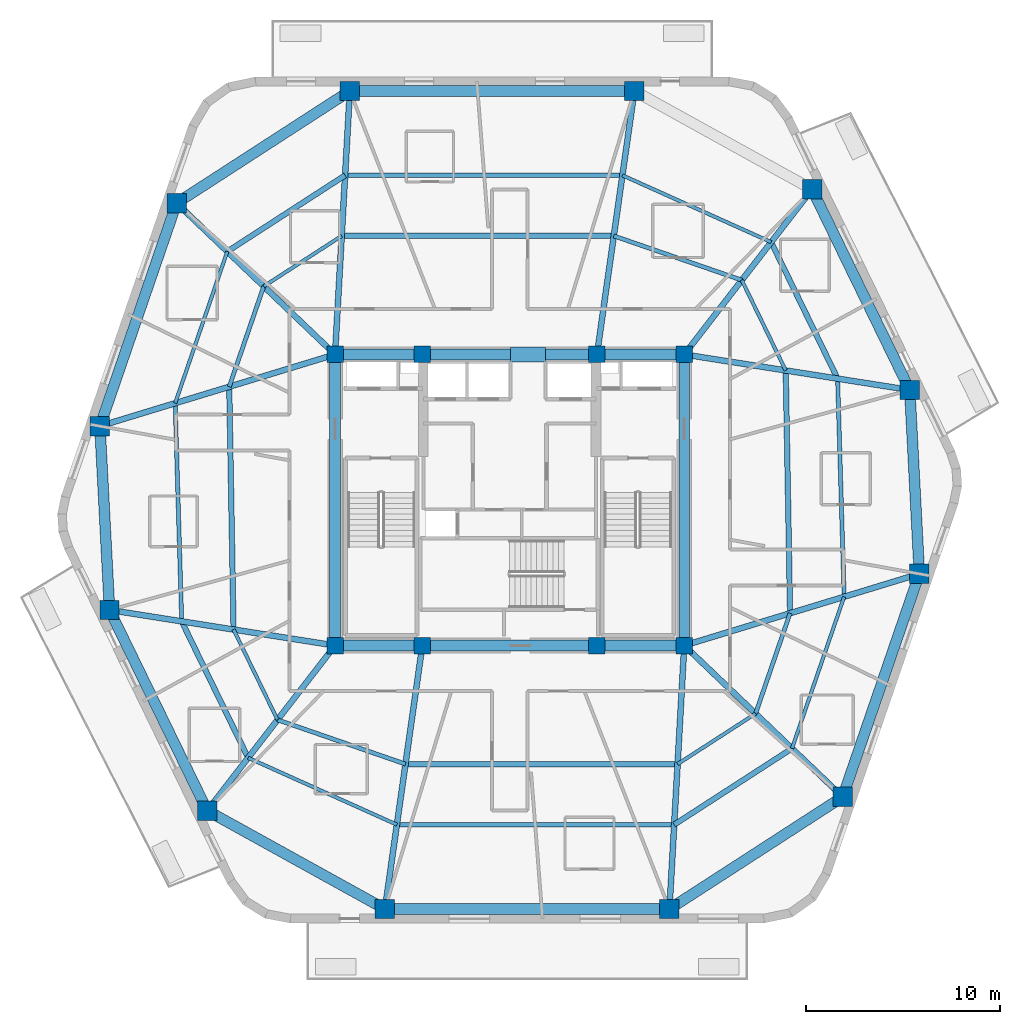
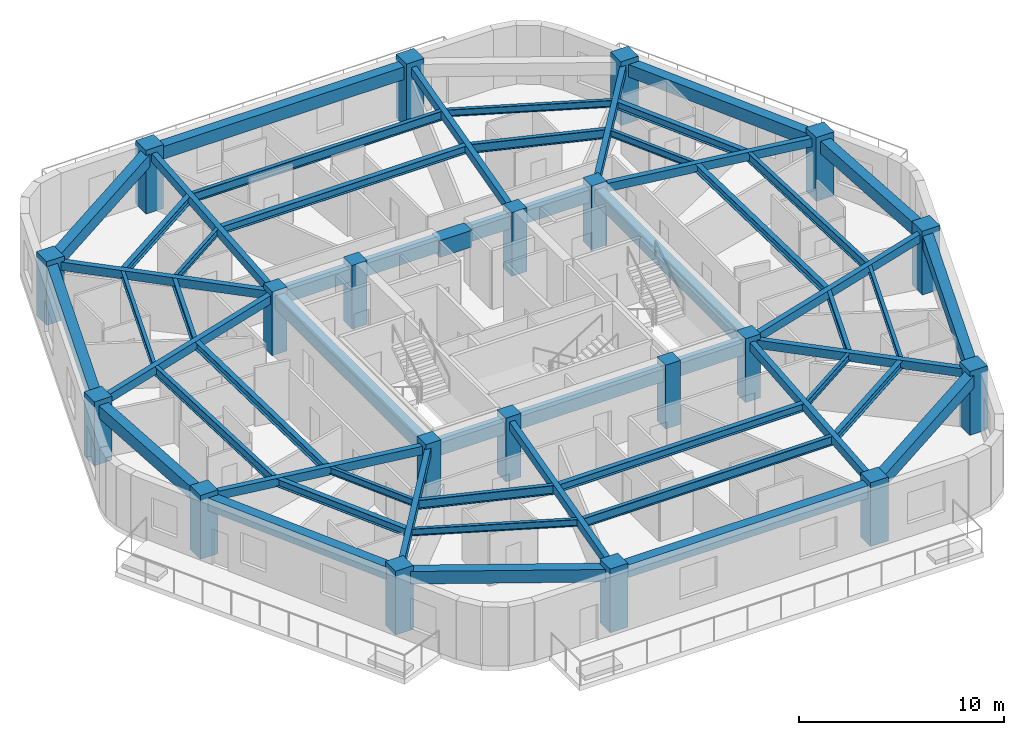
# One storey, part 1 of 10: 56 beams, 20 columns.
"""IFC4 building model written with IfcOpenShell, lengths in metres."""

from ifc_helpers import new_model, si_unit, direction, frame, origin, origin_2d, place, context, subcontext, project, spatial, rectangle, i_section, extrude, material, material_profile, profile_set, type_object, element, save


model = new_model("IFC4")

# Units and contexts
model_context = context("Model", 3, precision=1e-05, world=origin(), true_north=direction((0.0, 1.0)))
body_context = subcontext(model_context, "Body", "Model", "MODEL_VIEW")
ifc_project = project(units=[si_unit("LENGTHUNIT", "METRE"), si_unit("AREAUNIT", "SQUARE_METRE"), si_unit("VOLUMEUNIT", "CUBIC_METRE"), si_unit("PLANEANGLEUNIT", "RADIAN"), si_unit("MASSUNIT", "GRAM", prefix="KILO")], contexts=[model_context])

# Site, building, storey
site_placement = place(None, origin())
site = spatial("IfcSite", under=ifc_project, at=site_placement, CompositionType="ELEMENT")
building_placement = place(site_placement, origin())
building = spatial("IfcBuilding", under=site, at=building_placement, Name="Kilnhurst Terrace Hotel", CompositionType="ELEMENT")
storey_placement = place(building_placement, frame((0.0, 0.0, 244.5)))
storey = spatial("IfcBuildingStorey", under=building, at=storey_placement, Name="L61", CompositionType="ELEMENT", Elevation=244.5)

# Columns
ifc_material_1 = material(Name="Concrete C60/75", Category="concrete")
ifc_material_profile_1 = material_profile(ifc_material_1, rectangle(XDim=1.0, YDim=1.0, at=origin_2d()), Name="RC1000X1000")
ifc_profile_set_1 = profile_set([ifc_material_profile_1], Name="Concrete C60/75")
column_type_1 = type_object("IfcColumnType", Name="COL-RC-1000", PredefinedType="COLUMN", material=ifc_profile_set_1)
for number, where, z_axis, x_axis, name in (
    (1, (-6.429931640625, -21.080078125, 0.0), (0.0, 0.0, 1.0), (1.0, 0.0, 0.0), "L61 Structural Column PC-F11"),
    (2, (8.236083984375, -21.080078125, 0.0), (0.0, 0.0, 1.0), (1.0, 0.0, 0.0), "L61 Structural Column PC-F12"),
    (3, (17.166015625, -15.303955078125, 0.0), (0.0, 0.0, 1.0), (1.0, 0.0, 0.0), "L61 Structural Column PC-F21"),
    (4, (21.117919921875, -3.806884765625, 0.0), (0.0, 0.0, 1.0), (1.0, 0.0, 0.0), "L61 Structural Column PC-F22"),
    (5, (20.6220703125, 5.669921875, 0.0), (0.0, 0.0, 1.0), (1.0, 0.0, 0.0), "L61 Structural Column PC-F31"),
    (6, (15.5869140625, 16.012939453125, 0.0), (0.0, 0.0, 1.0), (1.0, 0.0, 0.0), "L61 Structural Column PC-F32"),
    (7, (6.429931640625, 21.080078125, 0.0), (0.0, 0.0, 1.0), (1.0, 0.0, 0.0), "L61 Structural Column PC-F41"),
    (8, (-8.236083984375, 21.080078125, 0.0), (0.0, 0.0, 1.0), (1.0, 0.0, 0.0), "L61 Structural Column PC-F42"),
    (9, (-17.166015625, 15.303955078125, 0.0), (0.0, 0.0, 1.0), (1.0, 0.0, 0.0), "L61 Structural Column PC-F51"),
    (10, (-21.117919921875, 3.806884765625, 0.0), (0.0, 0.0, 1.0), (1.0, 0.0, 0.0), "L61 Structural Column PC-F52"),
    (11, (-20.6220703125, -5.669921875, 0.0), (0.0, 0.0, 1.0), (1.0, 0.0, 0.0), "L61 Structural Column PC-F61"),
    (12, (-15.5869140625, -16.012939453125, 0.0), (0.0, 0.0, 1.0), (1.0, 0.0, 0.0), "L61 Structural Column PC-F62"),
):
    element("IfcColumn", number, at=place(storey_placement, frame(where, z_axis=z_axis, x_axis=x_axis)), inside=storey, type_object=column_type_1, Name=name, PredefinedType="COLUMN", context=body_context, shape_type="SweptSolid", body=[
        extrude(rectangle(XDim=1.0, YDim=1.0, at=origin_2d()), origin(), (0.0, 0.0, 1.0), 3.800048828125),
    ])
ifc_material_profile_2 = material_profile(ifc_material_1, rectangle(XDim=0.85009765625, YDim=0.85009765625, at=origin_2d()), Name="RC850X850")
ifc_profile_set_2 = profile_set([ifc_material_profile_2], Name="Concrete C60/75")
column_type_2 = type_object("IfcColumnType", Name="COL-RC-850", PredefinedType="COLUMN", material=ifc_profile_set_2)
for number, where, z_axis, x_axis, name in (
    (13, (-9.0, -7.5, 0.0), (0.0, 0.0, 1.0), (1.0, 0.0, 0.0), "L61 Structural Column CC-SW"),
    (14, (-4.5, -7.5, 0.0), (0.0, 0.0, 1.0), (1.0, 0.0, 0.0), "L61 Structural Column CC-SC1"),
    (15, (4.5, -7.5, 0.0), (0.0, 0.0, 1.0), (1.0, 0.0, 0.0), "L61 Structural Column CC-SC2"),
    (16, (9.0, -7.5, 0.0), (0.0, 0.0, 1.0), (1.0, 0.0, 0.0), "L61 Structural Column CC-SE"),
    (17, (9.0, 7.5, 0.0), (0.0, 0.0, 1.0), (1.0, 0.0, 0.0), "L61 Structural Column CC-NE"),
    (18, (4.5, 7.5, 0.0), (0.0, 0.0, 1.0), (1.0, 0.0, 0.0), "L61 Structural Column CC-NC2"),
    (19, (-4.5, 7.5, 0.0), (0.0, 0.0, 1.0), (1.0, 0.0, 0.0), "L61 Structural Column CC-NC1"),
    (20, (-9.0, 7.5, 0.0), (0.0, 0.0, 1.0), (1.0, 0.0, 0.0), "L61 Structural Column CC-NW"),
):
    element("IfcColumn", number, at=place(storey_placement, frame(where, z_axis=z_axis, x_axis=x_axis)), inside=storey, type_object=column_type_2, Name=name, PredefinedType="COLUMN", context=body_context, shape_type="SweptSolid", body=[
        extrude(rectangle(XDim=0.85009765625, YDim=0.85009765625, at=origin_2d()), origin(), (0.0, 0.0, 1.0), 3.800048828125),
    ])

# Beams
ifc_material_2 = material(Name="Concrete C50/60", Category="concrete")
ifc_material_profile_3 = material_profile(ifc_material_2, rectangle(XDim=0.300048828125, YDim=0.5, at=origin_2d()), Name="RC300X500")
ifc_profile_set_3 = profile_set([ifc_material_profile_3], Name="Concrete C50/60")
beam_type_1 = type_object("IfcBeamType", Name="BM-RAD-300X500", PredefinedType="BEAM", material=ifc_profile_set_3)
beam_1_placement = place(storey_placement, frame((-4.5, -7.5, 3.25), z_axis=(-0.140701170889, -0.990052109997, 0.0), x_axis=(0.990052109997, -0.140701170889, 0.0)))
element("IfcBeam", 21, at=beam_1_placement, inside=storey, type_object=beam_type_1, Name="L61 Radial Floor Beam 1", PredefinedType="BEAM", context=body_context, shape_type="SweptSolid", body=[
    extrude(rectangle(XDim=0.300048828125, YDim=0.5, at=origin_2d()), origin(), (0.0, 0.0, 1.0), 13.716552734375),
])
beam_2_placement = place(storey_placement, frame((9.0, -7.5, 3.25), z_axis=(-0.056163905291, -0.998421562138, 0.0), x_axis=(0.998421562138, -0.056163905291, 0.0)))
element("IfcBeam", 22, at=beam_2_placement, inside=storey, type_object=beam_type_1, Name="L61 Radial Floor Beam 2", PredefinedType="BEAM", context=body_context, shape_type="SweptSolid", body=[
    extrude(rectangle(XDim=0.300048828125, YDim=0.5, at=origin_2d()), origin(), (0.0, 0.0, 1.0), 13.6015625),
])
beam_3_placement = place(storey_placement, frame((9.0, -7.5, 3.25), z_axis=(0.722952064528, -0.690898192497, 0.0), x_axis=(0.690898192497, 0.722952064528, 0.0)))
element("IfcBeam", 23, at=beam_3_placement, inside=storey, type_object=beam_type_1, Name="L61 Radial Floor Beam 3", PredefinedType="BEAM", context=body_context, shape_type="SweptSolid", body=[
    extrude(rectangle(XDim=0.300048828125, YDim=0.5, at=origin_2d()), origin(), (0.0, 0.0, 1.0), 11.29541015625),
])
beam_4_placement = place(storey_placement, frame((9.0, -7.5, 3.25), z_axis=(0.956562713724, 0.291526627793, 0.0), x_axis=(-0.291526627793, 0.956562713724, 0.0)))
element("IfcBeam", 24, at=beam_4_placement, inside=storey, type_object=beam_type_1, Name="L61 Radial Floor Beam 4", PredefinedType="BEAM", context=body_context, shape_type="SweptSolid", body=[
    extrude(rectangle(XDim=0.300048828125, YDim=0.5, at=origin_2d()), origin(), (0.0, 0.0, 1.0), 12.668212890625),
])
beam_5_placement = place(storey_placement, frame((9.0, 7.5, 3.25), z_axis=(0.987828160163, -0.155549111179, 0.0), x_axis=(0.155549111179, 0.987828160163, 0.0)))
element("IfcBeam", 25, at=beam_5_placement, inside=storey, type_object=beam_type_1, Name="L61 Radial Floor Beam 5", PredefinedType="BEAM", context=body_context, shape_type="SweptSolid", body=[
    extrude(rectangle(XDim=0.300048828125, YDim=0.5, at=origin_2d()), origin(), (0.0, 0.0, 1.0), 11.765380859375),
])
beam_6_placement = place(storey_placement, frame((9.0, 7.5, 3.25), z_axis=(0.611955412533, 0.790892263884, 0.0), x_axis=(-0.790892263884, 0.611955412533, 0.0)))
element("IfcBeam", 26, at=beam_6_placement, inside=storey, type_object=beam_type_1, Name="L61 Radial Floor Beam 6", PredefinedType="BEAM", context=body_context, shape_type="SweptSolid", body=[
    extrude(rectangle(XDim=0.300048828125, YDim=0.5, at=origin_2d()), origin(), (0.0, 0.0, 1.0), 10.763671875),
])
beam_7_placement = place(storey_placement, frame((4.5, 7.5, 3.25), z_axis=(0.140701170889, 0.990052109997, 0.0), x_axis=(-0.990052109997, 0.140701170889, 0.0)))
element("IfcBeam", 27, at=beam_7_placement, inside=storey, type_object=beam_type_1, Name="L61 Radial Floor Beam 7", PredefinedType="BEAM", context=body_context, shape_type="SweptSolid", body=[
    extrude(rectangle(XDim=0.300048828125, YDim=0.5, at=origin_2d()), origin(), (0.0, 0.0, 1.0), 13.716552734375),
])
beam_8_placement = place(storey_placement, frame((-9.0, 7.5, 3.25), z_axis=(0.056163905291, 0.998421562138, 0.0), x_axis=(-0.998421562138, 0.056163905291, 0.0)))
element("IfcBeam", 28, at=beam_8_placement, inside=storey, type_object=beam_type_1, Name="L61 Radial Floor Beam 8", PredefinedType="BEAM", context=body_context, shape_type="SweptSolid", body=[
    extrude(rectangle(XDim=0.300048828125, YDim=0.5, at=origin_2d()), origin(), (0.0, 0.0, 1.0), 13.6015625),
])
beam_9_placement = place(storey_placement, frame((-9.0, 7.5, 3.25), z_axis=(-0.722952064528, 0.690898192497, 0.0), x_axis=(-0.690898192497, -0.722952064528, 0.0)))
element("IfcBeam", 29, at=beam_9_placement, inside=storey, type_object=beam_type_1, Name="L61 Radial Floor Beam 9", PredefinedType="BEAM", context=body_context, shape_type="SweptSolid", body=[
    extrude(rectangle(XDim=0.300048828125, YDim=0.5, at=origin_2d()), origin(), (0.0, 0.0, 1.0), 11.29541015625),
])
beam_10_placement = place(storey_placement, frame((-9.0, 7.5, 3.25), z_axis=(-0.956562713724, -0.291526627793, 0.0), x_axis=(0.291526627793, -0.956562713724, 0.0)))
element("IfcBeam", 30, at=beam_10_placement, inside=storey, type_object=beam_type_1, Name="L61 Radial Floor Beam 10", PredefinedType="BEAM", context=body_context, shape_type="SweptSolid", body=[
    extrude(rectangle(XDim=0.300048828125, YDim=0.5, at=origin_2d()), origin(), (0.0, 0.0, 1.0), 12.668212890625),
])
beam_11_placement = place(storey_placement, frame((-9.0, -7.5, 3.25), z_axis=(-0.987828160163, 0.155549111179, 0.0), x_axis=(-0.155549111179, -0.987828160163, 0.0)))
element("IfcBeam", 31, at=beam_11_placement, inside=storey, type_object=beam_type_1, Name="L61 Radial Floor Beam 11", PredefinedType="BEAM", context=body_context, shape_type="SweptSolid", body=[
    extrude(rectangle(XDim=0.300048828125, YDim=0.5, at=origin_2d()), origin(), (0.0, 0.0, 1.0), 11.765380859375),
])
beam_12_placement = place(storey_placement, frame((-9.0, -7.5, 3.25), z_axis=(-0.611955412533, -0.790892263884, 0.0), x_axis=(0.790892263884, -0.611955412533, 0.0)))
element("IfcBeam", 32, at=beam_12_placement, inside=storey, type_object=beam_type_1, Name="L61 Radial Floor Beam 12", PredefinedType="BEAM", context=body_context, shape_type="SweptSolid", body=[
    extrude(rectangle(XDim=0.300048828125, YDim=0.5, at=origin_2d()), origin(), (0.0, 0.0, 1.0), 10.763671875),
])
ifc_material_profile_4 = material_profile(ifc_material_2, rectangle(XDim=0.550048828125, YDim=0.75, at=origin_2d()), Name="RC550X750")
ifc_profile_set_4 = profile_set([ifc_material_profile_4], Name="Concrete C50/60")
beam_type_2 = type_object("IfcBeamType", Name="BM-SPN-550X750", PredefinedType="SPANDREL", material=ifc_profile_set_4)
beam_13_placement = place(storey_placement, frame((-9.0, 7.5, 3.125), z_axis=(1.0, 0.0, 0.0), x_axis=(0.0, 1.0, 0.0)))
element("IfcBeam", 33, at=beam_13_placement, inside=storey, type_object=beam_type_2, Name="L61 Core Tie Beam CC-NW to CC-NC1", PredefinedType="SPANDREL", context=body_context, shape_type="SweptSolid", body=[
    extrude(rectangle(XDim=0.550048828125, YDim=0.75, at=origin_2d()), origin(), (0.0, 0.0, 1.0), 4.5),
])
beam_14_placement = place(storey_placement, frame((-4.5, 7.5, 3.125), z_axis=(1.0, 0.0, 0.0), x_axis=(0.0, 1.0, 0.0)))
element("IfcBeam", 34, at=beam_14_placement, inside=storey, type_object=beam_type_2, Name="L61 Core Tie Beam CC-NC1 to CC-NC2", PredefinedType="SPANDREL", context=body_context, shape_type="SweptSolid", body=[
    extrude(rectangle(XDim=0.550048828125, YDim=0.75, at=origin_2d()), origin(), (0.0, 0.0, 1.0), 9.0),
])
for number, where, z_axis, x_axis, name in (
    (35, (4.5, 7.5, 3.125), (1.0, 0.0, 0.0), (0.0, 1.0, 0.0), "L61 Core Tie Beam CC-NC2 to CC-NE"),
    (36, (-9.0, -7.5, 3.125), (1.0, 0.0, 0.0), (0.0, 1.0, 0.0), "L61 Core Tie Beam CC-SW to CC-SC1"),
):
    element("IfcBeam", number, at=place(storey_placement, frame(where, z_axis=z_axis, x_axis=x_axis)), inside=storey, type_object=beam_type_2, Name=name, PredefinedType="SPANDREL", context=body_context, shape_type="SweptSolid", body=[
        extrude(rectangle(XDim=0.550048828125, YDim=0.75, at=origin_2d()), origin(), (0.0, 0.0, 1.0), 4.5),
    ])
beam_15_placement = place(storey_placement, frame((-4.5, -7.5, 3.125), z_axis=(1.0, 0.0, 0.0), x_axis=(0.0, 1.0, 0.0)))
element("IfcBeam", 37, at=beam_15_placement, inside=storey, type_object=beam_type_2, Name="L61 Core Tie Beam CC-SC1 to CC-SC2", PredefinedType="SPANDREL", context=body_context, shape_type="SweptSolid", body=[
    extrude(rectangle(XDim=0.550048828125, YDim=0.75, at=origin_2d()), origin(), (0.0, 0.0, 1.0), 9.0),
])
beam_16_placement = place(storey_placement, frame((4.5, -7.5, 3.125), z_axis=(1.0, 0.0, 0.0), x_axis=(0.0, 1.0, 0.0)))
element("IfcBeam", 38, at=beam_16_placement, inside=storey, type_object=beam_type_2, Name="L61 Core Tie Beam CC-SC2 to CC-SE", PredefinedType="SPANDREL", context=body_context, shape_type="SweptSolid", body=[
    extrude(rectangle(XDim=0.550048828125, YDim=0.75, at=origin_2d()), origin(), (0.0, 0.0, 1.0), 4.5),
])
for number, where, z_axis, x_axis, name in (
    (39, (-9.0, -7.5, 3.125), (0.0, 1.0, 0.0), (-1.0, 0.0, 0.0), "L61 Core Tie Beam CC-SW to CC-NW"),
    (40, (9.0, -7.5, 3.125), (0.0, 1.0, 0.0), (-1.0, 0.0, 0.0), "L61 Core Tie Beam CC-SE to CC-NE"),
):
    element("IfcBeam", number, at=place(storey_placement, frame(where, z_axis=z_axis, x_axis=x_axis)), inside=storey, type_object=beam_type_2, Name=name, PredefinedType="SPANDREL", context=body_context, shape_type="SweptSolid", body=[
        extrude(rectangle(XDim=0.550048828125, YDim=0.75, at=origin_2d()), origin(), (0.0, 0.0, 1.0), 15.0),
    ])
beam_17_placement = place(storey_placement, frame((-6.429931640625, -21.080078125, 3.125), z_axis=(1.0, 0.0, 0.0), x_axis=(0.0, 1.0, 0.0)))
element("IfcBeam", 41, at=beam_17_placement, inside=storey, type_object=beam_type_2, Name="L61 Perimeter Spandrel Beam 1", PredefinedType="SPANDREL", context=body_context, shape_type="SweptSolid", body=[
    extrude(rectangle(XDim=0.550048828125, YDim=0.75, at=origin_2d()), origin(), (0.0, 0.0, 1.0), 14.666015625),
])
beam_18_placement = place(storey_placement, frame((8.236083984375, -21.080078125, 3.125), z_axis=(0.839658834217, 0.543114207254, 0.0), x_axis=(-0.543114207254, 0.839658834217, 0.0)))
element("IfcBeam", 42, at=beam_18_placement, inside=storey, type_object=beam_type_2, Name="L61 Perimeter Spandrel Beam 2", PredefinedType="SPANDREL", context=body_context, shape_type="SweptSolid", body=[
    extrude(rectangle(XDim=0.550048828125, YDim=0.75, at=origin_2d()), origin(), (0.0, 0.0, 1.0), 10.63525390625),
])
beam_19_placement = place(storey_placement, frame((17.166015625, -15.303955078125, 3.125), z_axis=(0.325064053802, 0.94569200109, 0.0), x_axis=(-0.94569200109, 0.325064053802, 0.0)))
element("IfcBeam", 43, at=beam_19_placement, inside=storey, type_object=beam_type_2, Name="L61 Perimeter Spandrel Beam 3", PredefinedType="SPANDREL", context=body_context, shape_type="SweptSolid", body=[
    extrude(rectangle(XDim=0.550048828125, YDim=0.75, at=origin_2d()), origin(), (0.0, 0.0, 1.0), 12.1572265625),
])
beam_20_placement = place(storey_placement, frame((21.117919921875, -3.806884765625, 3.125), z_axis=(-0.052250962837, 0.998633985443, 0.0), x_axis=(-0.998633985443, -0.052250962837, 0.0)))
element("IfcBeam", 44, at=beam_20_placement, inside=storey, type_object=beam_type_2, Name="L61 Perimeter Spandrel Beam 4", PredefinedType="SPANDREL", context=body_context, shape_type="SweptSolid", body=[
    extrude(rectangle(XDim=0.550048828125, YDim=0.75, at=origin_2d()), origin(), (0.0, 0.0, 1.0), 9.48974609375),
])
beam_21_placement = place(storey_placement, frame((20.6220703125, 5.669921875, 3.125), z_axis=(-0.437705964683, 0.899118172701, 0.0), x_axis=(-0.899118172701, -0.437705964683, 0.0)))
element("IfcBeam", 45, at=beam_21_placement, inside=storey, type_object=beam_type_2, Name="L61 Perimeter Spandrel Beam 5", PredefinedType="SPANDREL", context=body_context, shape_type="SweptSolid", body=[
    extrude(rectangle(XDim=0.550048828125, YDim=0.75, at=origin_2d()), origin(), (0.0, 0.0, 1.0), 11.50341796875),
])
beam_22_placement = place(storey_placement, frame((6.429931640625, 21.080078125, 3.125), z_axis=(-1.0, 0.0, 0.0), x_axis=(0.0, -1.0, 0.0)))
element("IfcBeam", 46, at=beam_22_placement, inside=storey, type_object=beam_type_2, Name="L61 Perimeter Spandrel Beam 7", PredefinedType="SPANDREL", context=body_context, shape_type="SweptSolid", body=[
    extrude(rectangle(XDim=0.550048828125, YDim=0.75, at=origin_2d()), origin(), (0.0, 0.0, 1.0), 14.666015625),
])
beam_23_placement = place(storey_placement, frame((-8.236083984375, 21.080078125, 3.125), z_axis=(-0.839658834217, -0.543114207254, 0.0), x_axis=(0.543114207254, -0.839658834217, 0.0)))
element("IfcBeam", 47, at=beam_23_placement, inside=storey, type_object=beam_type_2, Name="L61 Perimeter Spandrel Beam 8", PredefinedType="SPANDREL", context=body_context, shape_type="SweptSolid", body=[
    extrude(rectangle(XDim=0.550048828125, YDim=0.75, at=origin_2d()), origin(), (0.0, 0.0, 1.0), 10.63525390625),
])
beam_24_placement = place(storey_placement, frame((-17.166015625, 15.303955078125, 3.125), z_axis=(-0.325064053802, -0.94569200109, 0.0), x_axis=(0.94569200109, -0.325064053802, 0.0)))
element("IfcBeam", 48, at=beam_24_placement, inside=storey, type_object=beam_type_2, Name="L61 Perimeter Spandrel Beam 9", PredefinedType="SPANDREL", context=body_context, shape_type="SweptSolid", body=[
    extrude(rectangle(XDim=0.550048828125, YDim=0.75, at=origin_2d()), origin(), (0.0, 0.0, 1.0), 12.1572265625),
])
beam_25_placement = place(storey_placement, frame((-21.117919921875, 3.806884765625, 3.125), z_axis=(0.052250962837, -0.998633985443, 0.0), x_axis=(0.998633985443, 0.052250962837, 0.0)))
element("IfcBeam", 49, at=beam_25_placement, inside=storey, type_object=beam_type_2, Name="L61 Perimeter Spandrel Beam 10", PredefinedType="SPANDREL", context=body_context, shape_type="SweptSolid", body=[
    extrude(rectangle(XDim=0.550048828125, YDim=0.75, at=origin_2d()), origin(), (0.0, 0.0, 1.0), 9.48974609375),
])
beam_26_placement = place(storey_placement, frame((-20.6220703125, -5.669921875, 3.125), z_axis=(0.437705964683, -0.899118172701, 0.0), x_axis=(0.899118172701, 0.437705964683, 0.0)))
element("IfcBeam", 50, at=beam_26_placement, inside=storey, type_object=beam_type_2, Name="L61 Perimeter Spandrel Beam 11", PredefinedType="SPANDREL", context=body_context, shape_type="SweptSolid", body=[
    extrude(rectangle(XDim=0.550048828125, YDim=0.75, at=origin_2d()), origin(), (0.0, 0.0, 1.0), 11.50341796875),
])
beam_27_placement = place(storey_placement, frame((-15.5869140625, -16.012939453125, 3.125), z_axis=(0.874970333121, -0.484176534085, 0.0), x_axis=(0.484176534085, 0.874970333121, 0.0)))
element("IfcBeam", 51, at=beam_27_placement, inside=storey, type_object=beam_type_2, Name="L61 Perimeter Spandrel Beam 12", PredefinedType="SPANDREL", context=body_context, shape_type="SweptSolid", body=[
    extrude(rectangle(XDim=0.550048828125, YDim=0.75, at=origin_2d()), origin(), (0.0, 0.0, 1.0), 10.465576171875),
])
ifc_material_3 = material(Name="Steel ASTM A992 Grade 50", Category="steel")
ifc_material_profile_5 = material_profile(ifc_material_3, i_section(OverallWidth=0.180908203125, OverallDepth=0.417236328125, WebThickness=0.010986328125, FlangeThickness=0.018310546875, at=origin_2d()), Name="W16X57")
ifc_profile_set_5 = profile_set([ifc_material_profile_5], Name="Steel ASTM A992 Grade 50")
beam_type_3 = type_object("IfcBeamType", Name="JST-STL-W16X57", PredefinedType="JOIST", material=ifc_profile_set_5)
beam_28_placement = place(storey_placement, frame((14.552978515625, -12.806640625, 3.291015625), z_axis=(0.325064911916, 0.945691706129, 0.0), x_axis=(-0.945691706129, 0.325064911916, 0.0)))
element("IfcBeam", 52, at=beam_28_placement, inside=storey, type_object=beam_type_3, Name="L61 Secondary Floor Steel Joist OUT.3", PredefinedType="JOIST", context=body_context, shape_type="SweptSolid", body=[
    extrude(i_section(OverallWidth=0.180908203125, OverallDepth=0.417236328125, WebThickness=0.010986328125, FlangeThickness=0.018310546875, at=origin_2d()), origin(), (0.0, 0.0, 1.0), 8.266845703125),
])
beam_29_placement = place(storey_placement, frame((13.479248046875, 13.288818359375, 3.291015625), z_axis=(-0.912120852375, 0.409921395713, 0.0), x_axis=(-0.409921395713, -0.912120852375, 0.0)))
element("IfcBeam", 53, at=beam_29_placement, inside=storey, type_object=beam_type_3, Name="L61 Secondary Floor Steel Joist OUT.6", PredefinedType="JOIST", context=body_context, shape_type="SweptSolid", body=[
    extrude(i_section(OverallWidth=0.180908203125, OverallDepth=0.417236328125, WebThickness=0.010986328125, FlangeThickness=0.018310546875, at=origin_2d()), origin(), (0.0, 0.0, 1.0), 8.405517578125),
])
beam_30_placement = place(storey_placement, frame((-14.552978515625, 12.806640625, 3.291015625), z_axis=(-0.325064911916, -0.945691706129, 0.0), x_axis=(0.945691706129, -0.325064911916, 0.0)))
element("IfcBeam", 54, at=beam_30_placement, inside=storey, type_object=beam_type_3, Name="L61 Secondary Floor Steel Joist OUT.9", PredefinedType="JOIST", context=body_context, shape_type="SweptSolid", body=[
    extrude(i_section(OverallWidth=0.180908203125, OverallDepth=0.417236328125, WebThickness=0.010986328125, FlangeThickness=0.018310546875, at=origin_2d()), origin(), (0.0, 0.0, 1.0), 8.266845703125),
])
beam_31_placement = place(storey_placement, frame((-13.479248046875, -13.288818359375, 3.291015625), z_axis=(0.912120852375, -0.409921395713, 0.0), x_axis=(0.409921395713, 0.912120852375, 0.0)))
element("IfcBeam", 55, at=beam_31_placement, inside=storey, type_object=beam_type_3, Name="L61 Secondary Floor Steel Joist OUT.12", PredefinedType="JOIST", context=body_context, shape_type="SweptSolid", body=[
    extrude(i_section(OverallWidth=0.180908203125, OverallDepth=0.417236328125, WebThickness=0.010986328125, FlangeThickness=0.018310546875, at=origin_2d()), origin(), (0.0, 0.0, 1.0), 8.405517578125),
])
beam_32_placement = place(storey_placement, frame((8.65625, -13.611083984375, 3.291015625), z_axis=(0.839653632344, 0.543122249306, 0.0), x_axis=(-0.543122249306, 0.839653632344, 0.0)))
element("IfcBeam", 56, at=beam_32_placement, inside=storey, type_object=beam_type_3, Name="L61 Secondary Floor Steel Joist IN.2", PredefinedType="JOIST", context=body_context, shape_type="SweptSolid", body=[
    extrude(i_section(OverallWidth=0.180908203125, OverallDepth=0.417236328125, WebThickness=0.010986328125, FlangeThickness=0.018310546875, at=origin_2d()), origin(), (0.0, 0.0, 1.0), 4.785888671875),
])
beam_33_placement = place(storey_placement, frame((14.22998046875, 6.676513671875, 3.291015625), z_axis=(-0.437718230281, 0.899112201496, 0.0), x_axis=(-0.899112201496, -0.437718230281, 0.0)))
element("IfcBeam", 57, at=beam_33_placement, inside=storey, type_object=beam_type_3, Name="L61 Secondary Floor Steel Joist IN.5", PredefinedType="JOIST", context=body_context, shape_type="SweptSolid", body=[
    extrude(i_section(OverallWidth=0.180908203125, OverallDepth=0.417236328125, WebThickness=0.010986328125, FlangeThickness=0.018310546875, at=origin_2d()), origin(), (0.0, 0.0, 1.0), 5.176513671875),
])
beam_34_placement = place(storey_placement, frame((-8.65625, 13.611083984375, 3.291015625), z_axis=(-0.839653632344, -0.543122249306, 0.0), x_axis=(0.543122249306, -0.839653632344, 0.0)))
element("IfcBeam", 58, at=beam_34_placement, inside=storey, type_object=beam_type_3, Name="L61 Secondary Floor Steel Joist IN.8", PredefinedType="JOIST", context=body_context, shape_type="SweptSolid", body=[
    extrude(i_section(OverallWidth=0.180908203125, OverallDepth=0.417236328125, WebThickness=0.010986328125, FlangeThickness=0.018310546875, at=origin_2d()), origin(), (0.0, 0.0, 1.0), 4.785888671875),
])
beam_35_placement = place(storey_placement, frame((-14.22998046875, -6.676513671875, 3.291015625), z_axis=(0.437718230281, -0.899112201496, 0.0), x_axis=(0.899112201496, 0.437718230281, 0.0)))
element("IfcBeam", 59, at=beam_35_placement, inside=storey, type_object=beam_type_3, Name="L61 Secondary Floor Steel Joist IN.11", PredefinedType="JOIST", context=body_context, shape_type="SweptSolid", body=[
    extrude(i_section(OverallWidth=0.180908203125, OverallDepth=0.417236328125, WebThickness=0.010986328125, FlangeThickness=0.018310546875, at=origin_2d()), origin(), (0.0, 0.0, 1.0), 5.176513671875),
])
ifc_material_profile_6 = material_profile(ifc_material_3, i_section(OverallWidth=0.279296875, OverallDepth=0.462890625, WebThickness=0.0107421875, FlangeThickness=0.017333984375, at=origin_2d()), Name="W18X76")
ifc_profile_set_6 = profile_set([ifc_material_profile_6], Name="Steel ASTM A992 Grade 50")
beam_type_4 = type_object("IfcBeamType", Name="JST-STL-W18X76", PredefinedType="JOIST", material=ifc_profile_set_6)
beam_36_placement = place(storey_placement, frame((8.48046875, -16.734375, 3.26806640625), z_axis=(0.839667054453, 0.543101498494, 0.0), x_axis=(-0.543101498494, 0.839667054453, 0.0)))
element("IfcBeam", 60, at=beam_36_placement, inside=storey, type_object=beam_type_4, Name="L61 Secondary Floor Steel Joist OUT.2", PredefinedType="JOIST", context=body_context, shape_type="SweptSolid", body=[
    extrude(i_section(OverallWidth=0.279296875, OverallDepth=0.462890625, WebThickness=0.0107421875, FlangeThickness=0.017333984375, at=origin_2d()), origin(), (0.0, 0.0, 1.0), 7.23193359375),
])
beam_37_placement = place(storey_placement, frame((16.903076171875, 6.255615234375, 3.26806640625), z_axis=(-0.437700347277, 0.899120907328, 0.0), x_axis=(-0.899120907328, -0.437700347277, 0.0)))
element("IfcBeam", 61, at=beam_37_placement, inside=storey, type_object=beam_type_4, Name="L61 Secondary Floor Steel Joist OUT.5", PredefinedType="JOIST", context=body_context, shape_type="SweptSolid", body=[
    extrude(i_section(OverallWidth=0.279296875, OverallDepth=0.462890625, WebThickness=0.0107421875, FlangeThickness=0.017333984375, at=origin_2d()), origin(), (0.0, 0.0, 1.0), 7.822265625),
])
beam_38_placement = place(storey_placement, frame((-8.48046875, 16.734375, 3.26806640625), z_axis=(-0.839667054453, -0.543101498494, 0.0), x_axis=(0.543101498494, -0.839667054453, 0.0)))
element("IfcBeam", 62, at=beam_38_placement, inside=storey, type_object=beam_type_4, Name="L61 Secondary Floor Steel Joist OUT.8", PredefinedType="JOIST", context=body_context, shape_type="SweptSolid", body=[
    extrude(i_section(OverallWidth=0.279296875, OverallDepth=0.462890625, WebThickness=0.0107421875, FlangeThickness=0.017333984375, at=origin_2d()), origin(), (0.0, 0.0, 1.0), 7.23193359375),
])
beam_39_placement = place(storey_placement, frame((-16.903076171875, -6.255615234375, 3.26806640625), z_axis=(0.437700347277, -0.899120907328, 0.0), x_axis=(0.899120907328, 0.437700347277, 0.0)))
element("IfcBeam", 63, at=beam_39_placement, inside=storey, type_object=beam_type_4, Name="L61 Secondary Floor Steel Joist OUT.11", PredefinedType="JOIST", context=body_context, shape_type="SweptSolid", body=[
    extrude(i_section(OverallWidth=0.279296875, OverallDepth=0.462890625, WebThickness=0.0107421875, FlangeThickness=0.017333984375, at=origin_2d()), origin(), (0.0, 0.0, 1.0), 7.822265625),
])
beam_40_placement = place(storey_placement, frame((-5.368408203125, -13.611083984375, 3.26806640625), z_axis=(1.0, 0.0, 0.0), x_axis=(0.0, 1.0, 0.0)))
element("IfcBeam", 64, at=beam_40_placement, inside=storey, type_object=beam_type_4, Name="L61 Secondary Floor Steel Joist IN.1", PredefinedType="JOIST", context=body_context, shape_type="SweptSolid", body=[
    extrude(i_section(OverallWidth=0.279296875, OverallDepth=0.462890625, WebThickness=0.0107421875, FlangeThickness=0.017333984375, at=origin_2d()), origin(), (0.0, 0.0, 1.0), 14.024658203125),
])
beam_41_placement = place(storey_placement, frame((14.453125, -5.838134765625, 3.26806640625), z_axis=(-0.017827833387, 0.999841071549, 0.0), x_axis=(-0.999841071549, -0.017827833387, 0.0)))
element("IfcBeam", 65, at=beam_41_placement, inside=storey, type_object=beam_type_4, Name="L61 Secondary Floor Steel Joist IN.4", PredefinedType="JOIST", context=body_context, shape_type="SweptSolid", body=[
    extrude(i_section(OverallWidth=0.279296875, OverallDepth=0.462890625, WebThickness=0.0107421875, FlangeThickness=0.017333984375, at=origin_2d()), origin(), (0.0, 0.0, 1.0), 12.5166015625),
])
beam_42_placement = place(storey_placement, frame((5.368408203125, 13.611083984375, 3.26806640625), z_axis=(-1.0, 0.0, 0.0), x_axis=(0.0, -1.0, 0.0)))
element("IfcBeam", 66, at=beam_42_placement, inside=storey, type_object=beam_type_4, Name="L61 Secondary Floor Steel Joist IN.7", PredefinedType="JOIST", context=body_context, shape_type="SweptSolid", body=[
    extrude(i_section(OverallWidth=0.279296875, OverallDepth=0.462890625, WebThickness=0.0107421875, FlangeThickness=0.017333984375, at=origin_2d()), origin(), (0.0, 0.0, 1.0), 14.024658203125),
])
beam_43_placement = place(storey_placement, frame((-14.453125, 5.838134765625, 3.26806640625), z_axis=(0.017827833387, -0.999841071549, 0.0), x_axis=(0.999841071549, 0.017827833387, 0.0)))
element("IfcBeam", 67, at=beam_43_placement, inside=storey, type_object=beam_type_4, Name="L61 Secondary Floor Steel Joist IN.10", PredefinedType="JOIST", context=body_context, shape_type="SweptSolid", body=[
    extrude(i_section(OverallWidth=0.279296875, OverallDepth=0.462890625, WebThickness=0.0107421875, FlangeThickness=0.017333984375, at=origin_2d()), origin(), (0.0, 0.0, 1.0), 12.5166015625),
])
ifc_material_profile_7 = material_profile(ifc_material_3, i_section(OverallWidth=0.2138671875, OverallDepth=0.549072265625, WebThickness=0.0146484375, FlangeThickness=0.023681640625, at=origin_2d()), Name="W21X93")
ifc_profile_set_7 = profile_set([ifc_material_profile_7], Name="Steel ASTM A992 Grade 50")
beam_type_5 = type_object("IfcBeamType", Name="JST-STL-W21X93", PredefinedType="JOIST", material=ifc_profile_set_7)
beam_44_placement = place(storey_placement, frame((-5.8125, -16.734375, 3.22509765625), z_axis=(1.0, 0.0, 0.0), x_axis=(0.0, 1.0, 0.0)))
element("IfcBeam", 68, at=beam_44_placement, inside=storey, type_object=beam_type_5, Name="L61 Secondary Floor Steel Joist OUT.1", PredefinedType="JOIST", context=body_context, shape_type="SweptSolid", body=[
    extrude(i_section(OverallWidth=0.2138671875, OverallDepth=0.549072265625, WebThickness=0.0146484375, FlangeThickness=0.023681640625, at=origin_2d()), origin(), (0.0, 0.0, 1.0), 14.29296875),
])
beam_45_placement = place(storey_placement, frame((17.240234375, -4.98876953125, 3.22509765625), z_axis=(-0.029971114202, 0.999550765251, 0.0), x_axis=(-0.999550765251, -0.029971114202, 0.0)))
element("IfcBeam", 69, at=beam_45_placement, inside=storey, type_object=beam_type_5, Name="L61 Secondary Floor Steel Joist OUT.4", PredefinedType="JOIST", context=body_context, shape_type="SweptSolid", body=[
    extrude(i_section(OverallWidth=0.2138671875, OverallDepth=0.549072265625, WebThickness=0.0146484375, FlangeThickness=0.023681640625, at=origin_2d()), origin(), (0.0, 0.0, 1.0), 11.24951171875),
])
beam_46_placement = place(storey_placement, frame((5.8125, 16.734375, 3.22509765625), z_axis=(-1.0, 0.0, 0.0), x_axis=(0.0, -1.0, 0.0)))
element("IfcBeam", 70, at=beam_46_placement, inside=storey, type_object=beam_type_5, Name="L61 Secondary Floor Steel Joist OUT.7", PredefinedType="JOIST", context=body_context, shape_type="SweptSolid", body=[
    extrude(i_section(OverallWidth=0.2138671875, OverallDepth=0.549072265625, WebThickness=0.0146484375, FlangeThickness=0.023681640625, at=origin_2d()), origin(), (0.0, 0.0, 1.0), 14.29296875),
])
beam_47_placement = place(storey_placement, frame((-17.240234375, 4.98876953125, 3.22509765625), z_axis=(0.029971114202, -0.999550765251, 0.0), x_axis=(0.999550765251, 0.029971114202, 0.0)))
element("IfcBeam", 71, at=beam_47_placement, inside=storey, type_object=beam_type_5, Name="L61 Secondary Floor Steel Joist OUT.10", PredefinedType="JOIST", context=body_context, shape_type="SweptSolid", body=[
    extrude(i_section(OverallWidth=0.2138671875, OverallDepth=0.549072265625, WebThickness=0.0146484375, FlangeThickness=0.023681640625, at=origin_2d()), origin(), (0.0, 0.0, 1.0), 11.24951171875),
])
beam_48_placement = place(storey_placement, frame((12.6748046875, -11.01171875, 3.22509765625), z_axis=(0.325063554612, 0.945692172677, 0.0), x_axis=(-0.945692172677, 0.325063554612, 0.0)))
element("IfcBeam", 72, at=beam_48_placement, inside=storey, type_object=beam_type_5, Name="L61 Secondary Floor Steel Joist IN.3", PredefinedType="JOIST", context=body_context, shape_type="SweptSolid", body=[
    extrude(i_section(OverallWidth=0.2138671875, OverallDepth=0.549072265625, WebThickness=0.0146484375, FlangeThickness=0.023681640625, at=origin_2d()), origin(), (0.0, 0.0, 1.0), 5.470703125),
])
beam_49_placement = place(storey_placement, frame((11.964111328125, 11.330810546875, 3.22509765625), z_axis=(-0.94511244231, 0.326745269884, 0.0), x_axis=(-0.326745269884, -0.94511244231, 0.0)))
element("IfcBeam", 73, at=beam_49_placement, inside=storey, type_object=beam_type_5, Name="L61 Secondary Floor Steel Joist IN.6", PredefinedType="JOIST", context=body_context, shape_type="SweptSolid", body=[
    extrude(i_section(OverallWidth=0.2138671875, OverallDepth=0.549072265625, WebThickness=0.0146484375, FlangeThickness=0.023681640625, at=origin_2d()), origin(), (0.0, 0.0, 1.0), 6.978759765625),
])
beam_50_placement = place(storey_placement, frame((-12.6748046875, 11.01171875, 3.22509765625), z_axis=(-0.325063554612, -0.945692172677, 0.0), x_axis=(0.945692172677, -0.325063554612, 0.0)))
element("IfcBeam", 74, at=beam_50_placement, inside=storey, type_object=beam_type_5, Name="L61 Secondary Floor Steel Joist IN.9", PredefinedType="JOIST", context=body_context, shape_type="SweptSolid", body=[
    extrude(i_section(OverallWidth=0.2138671875, OverallDepth=0.549072265625, WebThickness=0.0146484375, FlangeThickness=0.023681640625, at=origin_2d()), origin(), (0.0, 0.0, 1.0), 5.470703125),
])
beam_51_placement = place(storey_placement, frame((-11.964111328125, -11.330810546875, 3.22509765625), z_axis=(0.94511244231, -0.326745269884, 0.0), x_axis=(0.326745269884, 0.94511244231, 0.0)))
element("IfcBeam", 75, at=beam_51_placement, inside=storey, type_object=beam_type_5, Name="L61 Secondary Floor Steel Joist IN.12", PredefinedType="JOIST", context=body_context, shape_type="SweptSolid", body=[
    extrude(i_section(OverallWidth=0.2138671875, OverallDepth=0.549072265625, WebThickness=0.0146484375, FlangeThickness=0.023681640625, at=origin_2d()), origin(), (0.0, 0.0, 1.0), 6.978759765625),
])
ifc_material_profile_8 = material_profile(ifc_material_1, rectangle(XDim=0.75, YDim=1.0, at=origin_2d()), Name="RC750X1000")
ifc_profile_set_8 = profile_set([ifc_material_profile_8], Name="Concrete C60/75")
beam_type_6 = type_object("IfcBeamType", Name="LNT-CB-750X1000", PredefinedType="LINTEL", material=ifc_profile_set_8)
beam_52_placement = place(storey_placement, frame((0.050048828125, 7.5, 3.0), z_axis=(1.0, 0.0, 0.0), x_axis=(0.0, 1.0, 0.0)))
element("IfcBeam", 76, at=beam_52_placement, inside=storey, type_object=beam_type_6, Name="L61 North Core Coupling Link Beam", PredefinedType="LINTEL", context=body_context, shape_type="SweptSolid", body=[
    extrude(rectangle(XDim=0.75, YDim=1.0, at=origin_2d()), origin(), (0.0, 0.0, 1.0), 1.800048828125),
])

save(model, "model.ifc")
